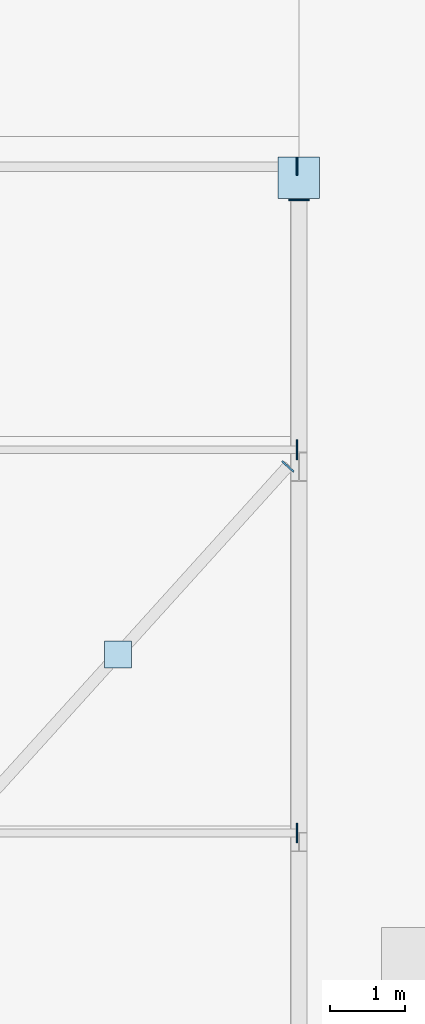
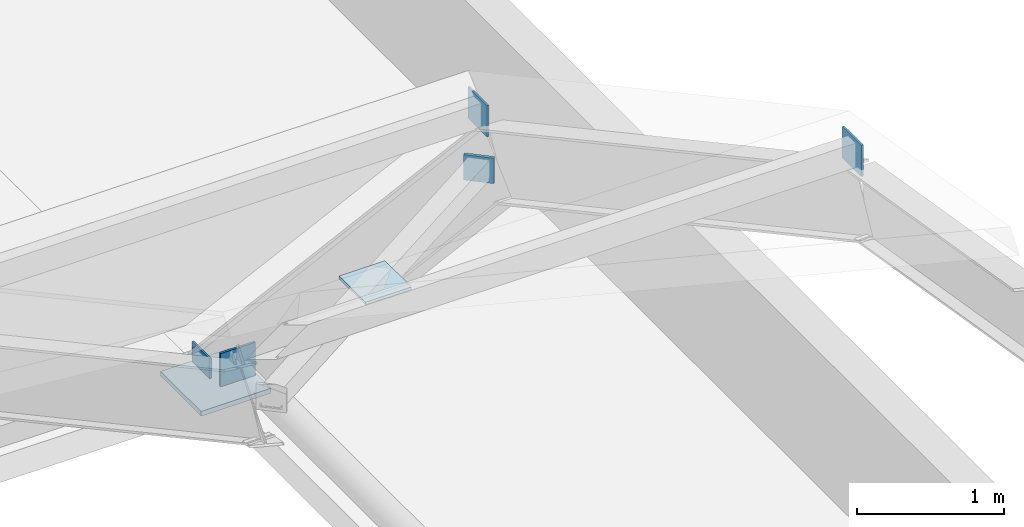
# One storey, part 8 of 10: 7 plates.
"""IFC4 building model written with IfcOpenShell, lengths in metres."""

from ifc_helpers import new_model, si_unit, direction, frame, origin, origin_2d, place, context, subcontext, project, spatial, rectangle, extrude, material, layer, layer_set, type_object, element, save


model = new_model("IFC4")

# Units and contexts
model_context = context("Model", 3, precision=1e-05, world=origin(), true_north=direction((0.0, 1.0)))
body_context = subcontext(model_context, "Body", "Model", "MODEL_VIEW")
ifc_project = project(units=[si_unit("LENGTHUNIT", "METRE"), si_unit("AREAUNIT", "SQUARE_METRE"), si_unit("VOLUMEUNIT", "CUBIC_METRE"), si_unit("PLANEANGLEUNIT", "RADIAN"), si_unit("MASSUNIT", "GRAM", prefix="KILO")], contexts=[model_context])

# Site, building, storey
site_placement = place(None, origin())
site = spatial("IfcSite", under=ifc_project, at=site_placement, CompositionType="ELEMENT")
building_placement = place(site_placement, origin())
building = spatial("IfcBuilding", under=site, at=building_placement, Name="Zantavel Square City Hall", CompositionType="ELEMENT")
storey_placement = place(building_placement, frame((0.0, 0.0, 28.5)))
storey = spatial("IfcBuildingStorey", under=building, at=storey_placement, Name="RF", CompositionType="ELEMENT", Elevation=28.5)

# Plates
ifc_material = material(Name="Steel ASTM A572 Grade 50", Category="steel")
ifc_layer_1 = layer(ifc_material, 0.01806640625, Name="Steel ASTM A572 Grade 50")
ifc_layer_set_1 = layer_set([ifc_layer_1], Name="Steel ASTM A572 Grade 50")
plate_type_1 = type_object("IfcPlateType", Name="CHS 219 End Cap Plate 18mm", PredefinedType="SHEET", material=ifc_layer_set_1)
plate_1_placement = place(storey_placement, frame((100.800048828125, 59.7060546875, 0.212646484375), z_axis=(0.0, 0.0, 1.0), x_axis=(0.0, 1.0, 0.0)))
element("IfcPlate", 1, at=plate_1_placement, inside=storey, type_object=plate_type_1, Name="Barrel Vault Rib 8 Tension Tie End Cap 2", PredefinedType="SHEET", context=body_context, shape_type="SweptSolid", body=[
    extrude(rectangle(XDim=0.01806640625, YDim=0.27490234375, at=origin_2d()), origin(), (0.0, 0.0, 1.0), 0.27490234375),
])
ifc_layer_2 = layer(ifc_material, 0.01611328125, Name="Steel ASTM A572 Grade 50")
ifc_layer_set_2 = layer_set([ifc_layer_2], Name="Steel ASTM A572 Grade 50")
plate_type_2 = type_object("IfcPlateType", Name="HSS 152x152 End Cap Plate 16mm", PredefinedType="SHEET", material=ifc_layer_set_2)
plate_2_placement = place(storey_placement, frame((100.65380859375, 56.170654296875, 4.062255859375), z_axis=(0.0, 0.0, 1.0), x_axis=(0.670437637843, 0.741965884501, 0.0)))
element("IfcPlate", 2, at=plate_2_placement, inside=storey, type_object=plate_type_2, Name="Vault Wind Brace B7-C5 End Cap 2", PredefinedType="SHEET", context=body_context, shape_type="SweptSolid", body=[
    extrude(rectangle(XDim=0.02392578125, YDim=0.2099609375, at=origin_2d()), origin(), (0.0, 0.0, 1.0), 0.2099609375),
])
ifc_layer_3 = layer(ifc_material, 0.01611328125, Name="Steel ASTM A572 Grade 50")
ifc_layer_set_3 = layer_set([ifc_layer_3], Name="Steel ASTM A572 Grade 50")
plate_type_3 = type_object("IfcPlateType", Name="HSS 178x127 End Cap Plate 16mm", PredefinedType="SHEET", material=ifc_layer_set_3)
plate_3_placement = place(storey_placement, frame((100.77587890625, 60.14990234375, -0.0283203125), z_axis=(0.0, 0.0, 1.0), x_axis=(1.0, 0.0, 0.0)))
element("IfcPlate", 3, at=plate_3_placement, inside=storey, type_object=plate_type_3, Name="Vault Bay 7 Purlin 7 End Cap 2", PredefinedType="SHEET", context=body_context, shape_type="SweptSolid", body=[
    extrude(rectangle(XDim=0.01611328125, YDim=0.235107421875, at=origin_2d()), origin(), (0.0, 0.0, 1.0), 0.235107421875),
])
ifc_layer_4 = layer(ifc_material, 0.01611328125, Name="Steel ASTM A572 Grade 50")
ifc_layer_set_4 = layer_set([ifc_layer_4], Name="Steel ASTM A572 Grade 50")
plate_type_4 = type_object("IfcPlateType", Name="HSS 203x102 End Cap Plate 16mm", PredefinedType="SHEET", material=ifc_layer_set_4)
for number, where, z_axis, x_axis, name in (
    (4, (100.77587890625, 51.305908203125, 7.08447265625), (0.0, 0.0, 1.0), (1.0, 0.0, 0.0), "Vault Bay 7 Purlin 5 End Cap 2"),
    (5, (100.77587890625, 56.392578125, 4.32958984375), (0.0, 0.0, 1.0), (1.0, 0.0, 0.0), "Vault Bay 7 Purlin 6 End Cap 2"),
):
    element("IfcPlate", number, at=place(storey_placement, frame(where, z_axis=z_axis, x_axis=x_axis)), inside=storey, type_object=plate_type_4, Name=name, PredefinedType="SHEET", context=body_context, shape_type="SweptSolid", body=[
        extrude(rectangle(XDim=0.01611328125, YDim=0.260009765625, at=origin_2d()), origin(), (0.0, 0.0, 1.0), 0.260009765625),
    ])
ifc_layer_5 = layer(ifc_material, 0.0400390625, Name="Steel ASTM A572 Grade 50")
ifc_layer_set_5 = layer_set([ifc_layer_5], Name="Steel ASTM A572 Grade 50")
plate_type_5 = type_object("IfcPlateType", Name="Vault Arch Base Shoe Plate 550x550x40", PredefinedType="SHEET", material=ifc_layer_set_5)
plate_4_placement = place(storey_placement, frame((100.800048828125, 60.0, 0.0), z_axis=(0.0, 0.0, 1.0), x_axis=(1.0, 0.0, 0.0)))
element("IfcPlate", 6, at=plate_4_placement, inside=storey, type_object=plate_type_5, Name="Barrel Vault Rib 8 Base Shoe Plate 2", PredefinedType="SHEET", context=body_context, shape_type="SweptSolid", body=[
    extrude(rectangle(XDim=0.550048828125, YDim=0.550048828125, at=origin_2d()), origin(), (0.0, 0.0, 1.0), 0.0400390625),
])
ifc_layer_6 = layer(ifc_material, 0.02392578125, Name="Steel ASTM A572 Grade 50")
ifc_layer_set_6 = layer_set([ifc_layer_6], Name="Steel ASTM A572 Grade 50")
plate_type_6 = type_object("IfcPlateType", Name="Vault Brace Gusset Plate 360x360x24", PredefinedType="USERDEFINED", material=ifc_layer_set_6)
plate_5_placement = place(storey_placement, frame((98.39990234375, 53.676513671875, 5.50634765625), z_axis=(0.0, 0.0, 1.0), x_axis=(1.0, 0.0, 0.0)))
element("IfcPlate", 7, at=plate_5_placement, inside=storey, type_object=plate_type_6, Name="Vault Brace Gusset B7-C5", ObjectType="GUSSET PLATE", PredefinedType="USERDEFINED", context=body_context, shape_type="SweptSolid", body=[
    extrude(rectangle(XDim=0.360107421875, YDim=0.360107421875, at=origin_2d()), origin(), (0.0, 0.0, 1.0), 0.02392578125),
])

save(model, "model.ifc")
